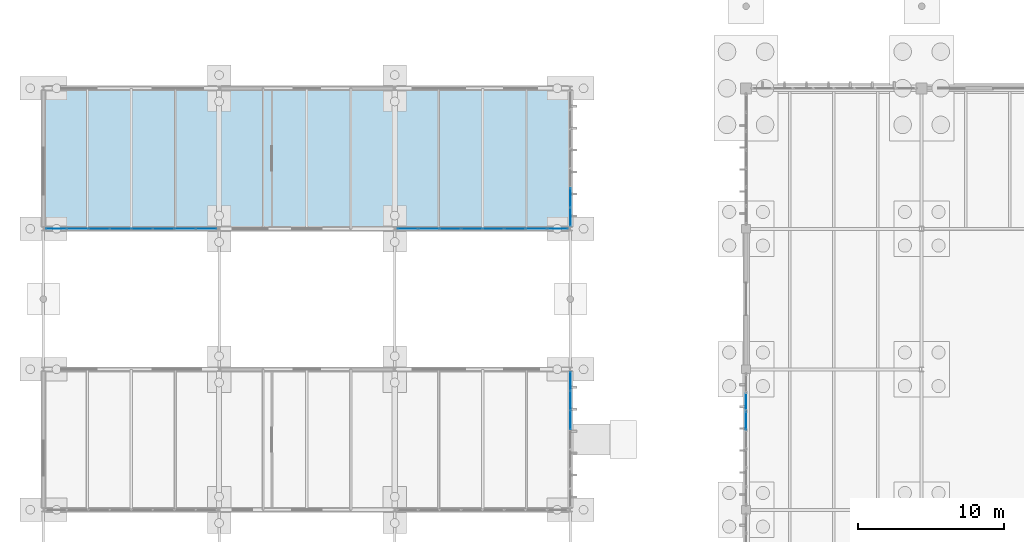
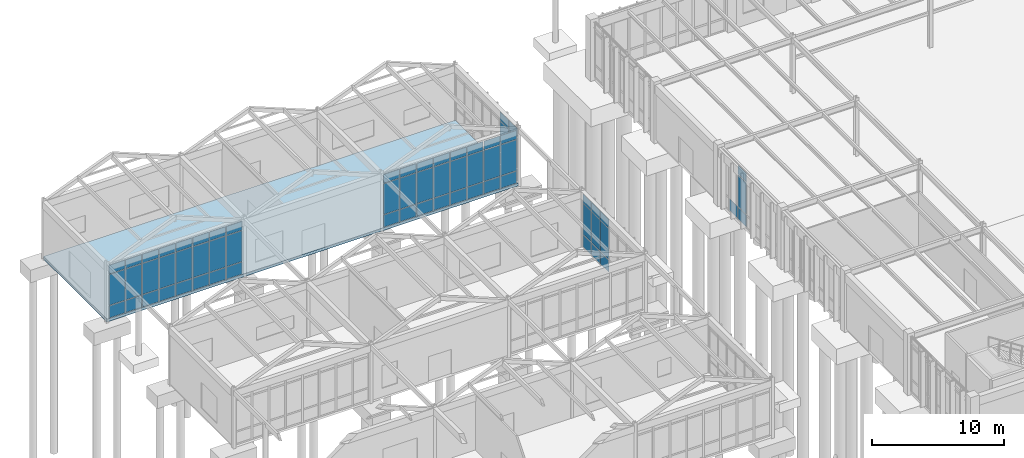
# One storey, part 135 of 188: 67 plates, 1 slab, 5 elements without a shape of their own.
"""IFC4 building model written with IfcOpenShell, lengths in metres."""

from ifc_helpers import new_model, si_unit, direction, frame, origin, origin_2d, place, context, subcontext, project, spatial, polyline, rectangle, outline, extrude, material, layer, layer_set, type_object, element, aggregate, save


model = new_model("IFC4")

# Units and contexts
model_context = context("Model", 3, precision=1e-05, world=origin(), true_north=direction((0.0, 1.0)))
body_context = subcontext(model_context, "Body", "Model", "MODEL_VIEW")
ifc_project = project(units=[si_unit("LENGTHUNIT", "METRE"), si_unit("AREAUNIT", "SQUARE_METRE"), si_unit("VOLUMEUNIT", "CUBIC_METRE"), si_unit("PLANEANGLEUNIT", "RADIAN"), si_unit("MASSUNIT", "GRAM", prefix="KILO")], contexts=[model_context])

# Site, building, storey
site_placement = place(None, origin())
site = spatial("IfcSite", under=ifc_project, at=site_placement, CompositionType="ELEMENT")
building_placement = place(site_placement, origin())
building = spatial("IfcBuilding", under=site, at=building_placement, Name="Pandanus Reach Market Hall", CompositionType="ELEMENT")
storey_placement = place(building_placement, origin())
storey = spatial("IfcBuildingStorey", under=building, at=storey_placement, Name="L00", CompositionType="ELEMENT", Elevation=0.0)

# Curtain wall, plates
ifc_material_1 = material(Name="Bronze anodised aluminium and low-E glass", Category="aluminium")
ifc_layer_1 = layer(ifc_material_1, 0.159912109375, Name="CW-08")
ifc_layer_set_1 = layer_set([ifc_layer_1], Name="Bronze anodised aluminium and low-E glass")
curtain_wall_type_1 = type_object("IfcCurtainWallType", Name="CW-08", PredefinedType="NOTDEFINED", material=ifc_layer_set_1)
curtain_wall_1_placement = place(storey_placement, origin())
curtain_wall_1 = element("IfcCurtainWall", 1, at=curtain_wall_1_placement, inside=storey, type_object=curtain_wall_type_1, Name="Glazed curtain wall CW-08 CW-0043", PredefinedType="NOTDEFINED")
ifc_material_2 = material(Name="Solar-control double glazing", Category="glass")
ifc_layer_2 = layer(ifc_material_2, 0.028076171875, Name="CW-P1")
ifc_layer_set_2 = layer_set([ifc_layer_2], Name="Solar-control double glazing")
plate_type_1 = type_object("IfcPlateType", Name="CW-P1", PredefinedType="CURTAIN_PANEL", material=ifc_layer_set_2)
plate_1_placement = place(storey_placement, frame((36.0, 63.735107421875, 0.06494140625), z_axis=(0.0, 0.0, 1.0), x_axis=(0.0, 1.0, 0.0)))
plate_1 = element("IfcPlate", 2, at=plate_1_placement, type_object=plate_type_1, Name="CW-08 panel 5.1", PredefinedType="CURTAIN_PANEL", context=body_context, shape_type="SweptSolid", body=[
    extrude(rectangle(XDim=1.270263671875, YDim=0.028076171875, at=origin_2d()), origin(), (0.0, 0.0, 1.0), 1.1025390625),
])
plate_2_placement = place(storey_placement, frame((36.0, 63.735107421875, 1.232421875), z_axis=(0.0, 0.0, 1.0), x_axis=(0.0, 1.0, 0.0)))
plate_2 = element("IfcPlate", 3, at=plate_2_placement, type_object=plate_type_1, Name="CW-08 panel 5.2", PredefinedType="CURTAIN_PANEL", context=body_context, shape_type="SweptSolid", body=[
    extrude(rectangle(XDim=1.270263671875, YDim=0.028076171875, at=origin_2d()), origin(), (0.0, 0.0, 1.0), 2.8349609375),
])
plate_3_placement = place(storey_placement, frame((36.0, 63.735107421875, 4.13232421875), z_axis=(0.0, 0.0, 1.0), x_axis=(0.0, 1.0, 0.0)))
plate_3 = element("IfcPlate", 4, at=plate_3_placement, type_object=plate_type_1, Name="CW-08 panel 5.3", PredefinedType="CURTAIN_PANEL", context=body_context, shape_type="SweptSolid", body=[
    extrude(rectangle(XDim=1.270263671875, YDim=0.028076171875, at=origin_2d()), origin(), (0.0, 0.0, 1.0), 0.802490234375),
])
plate_4_placement = place(storey_placement, frame((36.0, 65.0703125, 0.06494140625), z_axis=(0.0, 0.0, 1.0), x_axis=(0.0, 1.0, 0.0)))
plate_4 = element("IfcPlate", 5, at=plate_4_placement, type_object=plate_type_1, Name="CW-08 panel 6.1", PredefinedType="CURTAIN_PANEL", context=body_context, shape_type="SweptSolid", body=[
    extrude(rectangle(XDim=1.270263671875, YDim=0.028076171875, at=origin_2d()), origin(), (0.0, 0.0, 1.0), 1.1025390625),
])
plate_5_placement = place(storey_placement, frame((36.0, 65.0703125, 1.232421875), z_axis=(0.0, 0.0, 1.0), x_axis=(0.0, 1.0, 0.0)))
plate_5 = element("IfcPlate", 6, at=plate_5_placement, type_object=plate_type_1, Name="CW-08 panel 6.2", PredefinedType="CURTAIN_PANEL", context=body_context, shape_type="SweptSolid", body=[
    extrude(rectangle(XDim=1.270263671875, YDim=0.028076171875, at=origin_2d()), origin(), (0.0, 0.0, 1.0), 2.8349609375),
])
plate_6_placement = place(storey_placement, frame((36.0, 65.0703125, 4.13232421875), z_axis=(0.0, 0.0, 1.0), x_axis=(0.0, 1.0, 0.0)))
plate_6 = element("IfcPlate", 7, at=plate_6_placement, type_object=plate_type_1, Name="CW-08 panel 6.3", PredefinedType="CURTAIN_PANEL", context=body_context, shape_type="SweptSolid", body=[
    extrude(rectangle(XDim=1.270263671875, YDim=0.028076171875, at=origin_2d()), origin(), (0.0, 0.0, 1.0), 0.802490234375),
])
plate_7_placement = place(storey_placement, frame((36.0, 66.38916015625, 0.06494140625), z_axis=(0.0, 0.0, 1.0), x_axis=(0.0, 1.0, 0.0)))
plate_7 = element("IfcPlate", 8, at=plate_7_placement, type_object=plate_type_1, Name="CW-08 panel 7.1", PredefinedType="CURTAIN_PANEL", context=body_context, shape_type="SweptSolid", body=[
    extrude(rectangle(XDim=1.237548828125, YDim=0.028076171875, at=origin_2d()), origin(), (0.0, 0.0, 1.0), 1.1025390625),
])
plate_8_placement = place(storey_placement, frame((36.0, 66.38916015625, 1.232421875), z_axis=(0.0, 0.0, 1.0), x_axis=(0.0, 1.0, 0.0)))
plate_8 = element("IfcPlate", 9, at=plate_8_placement, type_object=plate_type_1, Name="CW-08 panel 7.2", PredefinedType="CURTAIN_PANEL", context=body_context, shape_type="SweptSolid", body=[
    extrude(rectangle(XDim=1.237548828125, YDim=0.028076171875, at=origin_2d()), origin(), (0.0, 0.0, 1.0), 2.8349609375),
])
plate_9_placement = place(storey_placement, frame((36.0, 66.38916015625, 4.13232421875), z_axis=(0.0, 0.0, 1.0), x_axis=(0.0, 1.0, 0.0)))
plate_9 = element("IfcPlate", 10, at=plate_9_placement, type_object=plate_type_1, Name="CW-08 panel 7.3", PredefinedType="CURTAIN_PANEL", context=body_context, shape_type="SweptSolid", body=[
    extrude(rectangle(XDim=1.237548828125, YDim=0.028076171875, at=origin_2d()), origin(), (0.0, 0.0, 1.0), 0.802490234375),
])
aggregate(curtain_wall_1, [plate_1, plate_2, plate_3, plate_4, plate_5, plate_6, plate_7, plate_8, plate_9])

ifc_layer_3 = layer(ifc_material_1, 0.159912109375, Name="CW-07")
ifc_layer_set_3 = layer_set([ifc_layer_3], Name="Bronze anodised aluminium and low-E glass")
curtain_wall_type_2 = type_object("IfcCurtainWallType", Name="CW-07", PredefinedType="NOTDEFINED", material=ifc_layer_set_3)
curtain_wall_2_placement = place(storey_placement, origin())
curtain_wall_2 = element("IfcCurtainWall", 11, at=curtain_wall_2_placement, inside=storey, type_object=curtain_wall_type_2, Name="Glazed curtain wall CW-07 CW-0044", PredefinedType="NOTDEFINED")
plate_10_placement = place(storey_placement, frame((0.87744140625, 76.800048828125, 0.06494140625), z_axis=(0.0, 0.0, 1.0), x_axis=(1.0, 0.0, 0.0)))
plate_10 = element("IfcPlate", 12, at=plate_10_placement, type_object=plate_type_1, Name="CW-07 panel 1.1", PredefinedType="CURTAIN_PANEL", context=body_context, shape_type="SweptSolid", body=[
    extrude(rectangle(XDim=1.370849609375, YDim=0.028076171875, at=origin_2d()), origin(), (0.0, 0.0, 1.0), 1.1025390625),
])
plate_11_placement = place(storey_placement, frame((0.87744140625, 76.800048828125, 1.232421875), z_axis=(0.0, 0.0, 1.0), x_axis=(1.0, 0.0, 0.0)))
plate_11 = element("IfcPlate", 13, at=plate_11_placement, type_object=plate_type_1, Name="CW-07 panel 1.2", PredefinedType="CURTAIN_PANEL", context=body_context, shape_type="SweptSolid", body=[
    extrude(rectangle(XDim=1.370849609375, YDim=0.028076171875, at=origin_2d()), origin(), (0.0, 0.0, 1.0), 2.8349609375),
])
plate_12_placement = place(storey_placement, frame((0.87744140625, 76.800048828125, 4.13232421875), z_axis=(0.0, 0.0, 1.0), x_axis=(1.0, 0.0, 0.0)))
plate_12 = element("IfcPlate", 14, at=plate_12_placement, type_object=plate_type_1, Name="CW-07 panel 1.3", PredefinedType="CURTAIN_PANEL", context=body_context, shape_type="SweptSolid", body=[
    extrude(rectangle(XDim=1.370849609375, YDim=0.028076171875, at=origin_2d()), origin(), (0.0, 0.0, 1.0), 0.802490234375),
])
plate_13_placement = place(storey_placement, frame((2.329345703125, 76.800048828125, 0.06494140625), z_axis=(0.0, 0.0, 1.0), x_axis=(1.0, 0.0, 0.0)))
plate_13 = element("IfcPlate", 15, at=plate_13_placement, type_object=plate_type_1, Name="CW-07 panel 2.1", PredefinedType="CURTAIN_PANEL", context=body_context, shape_type="SweptSolid", body=[
    extrude(rectangle(XDim=1.4033203125, YDim=0.028076171875, at=origin_2d()), origin(), (0.0, 0.0, 1.0), 1.1025390625),
])
plate_14_placement = place(storey_placement, frame((2.329345703125, 76.800048828125, 1.232421875), z_axis=(0.0, 0.0, 1.0), x_axis=(1.0, 0.0, 0.0)))
plate_14 = element("IfcPlate", 16, at=plate_14_placement, type_object=plate_type_1, Name="CW-07 panel 2.2", PredefinedType="CURTAIN_PANEL", context=body_context, shape_type="SweptSolid", body=[
    extrude(rectangle(XDim=1.4033203125, YDim=0.028076171875, at=origin_2d()), origin(), (0.0, 0.0, 1.0), 2.8349609375),
])
plate_15_placement = place(storey_placement, frame((2.329345703125, 76.800048828125, 4.13232421875), z_axis=(0.0, 0.0, 1.0), x_axis=(1.0, 0.0, 0.0)))
plate_15 = element("IfcPlate", 17, at=plate_15_placement, type_object=plate_type_1, Name="CW-07 panel 2.3", PredefinedType="CURTAIN_PANEL", context=body_context, shape_type="SweptSolid", body=[
    extrude(rectangle(XDim=1.4033203125, YDim=0.028076171875, at=origin_2d()), origin(), (0.0, 0.0, 1.0), 0.802490234375),
])
plate_16_placement = place(storey_placement, frame((3.797607421875, 76.800048828125, 0.06494140625), z_axis=(0.0, 0.0, 1.0), x_axis=(1.0, 0.0, 0.0)))
plate_16 = element("IfcPlate", 18, at=plate_16_placement, type_object=plate_type_1, Name="CW-07 panel 3.1", PredefinedType="CURTAIN_PANEL", context=body_context, shape_type="SweptSolid", body=[
    extrude(rectangle(XDim=1.4033203125, YDim=0.028076171875, at=origin_2d()), origin(), (0.0, 0.0, 1.0), 1.1025390625),
])
plate_17_placement = place(storey_placement, frame((3.797607421875, 76.800048828125, 1.232421875), z_axis=(0.0, 0.0, 1.0), x_axis=(1.0, 0.0, 0.0)))
plate_17 = element("IfcPlate", 19, at=plate_17_placement, type_object=plate_type_1, Name="CW-07 panel 3.2", PredefinedType="CURTAIN_PANEL", context=body_context, shape_type="SweptSolid", body=[
    extrude(rectangle(XDim=1.4033203125, YDim=0.028076171875, at=origin_2d()), origin(), (0.0, 0.0, 1.0), 2.8349609375),
])
plate_18_placement = place(storey_placement, frame((3.797607421875, 76.800048828125, 4.13232421875), z_axis=(0.0, 0.0, 1.0), x_axis=(1.0, 0.0, 0.0)))
plate_18 = element("IfcPlate", 20, at=plate_18_placement, type_object=plate_type_1, Name="CW-07 panel 3.3", PredefinedType="CURTAIN_PANEL", context=body_context, shape_type="SweptSolid", body=[
    extrude(rectangle(XDim=1.4033203125, YDim=0.028076171875, at=origin_2d()), origin(), (0.0, 0.0, 1.0), 0.802490234375),
])
plate_19_placement = place(storey_placement, frame((5.265869140625, 76.800048828125, 0.06494140625), z_axis=(0.0, 0.0, 1.0), x_axis=(1.0, 0.0, 0.0)))
plate_19 = element("IfcPlate", 21, at=plate_19_placement, type_object=plate_type_1, Name="CW-07 panel 4.1", PredefinedType="CURTAIN_PANEL", context=body_context, shape_type="SweptSolid", body=[
    extrude(rectangle(XDim=1.4033203125, YDim=0.028076171875, at=origin_2d()), origin(), (0.0, 0.0, 1.0), 1.1025390625),
])
plate_20_placement = place(storey_placement, frame((5.265869140625, 76.800048828125, 1.232421875), z_axis=(0.0, 0.0, 1.0), x_axis=(1.0, 0.0, 0.0)))
plate_20 = element("IfcPlate", 22, at=plate_20_placement, type_object=plate_type_1, Name="CW-07 panel 4.2", PredefinedType="CURTAIN_PANEL", context=body_context, shape_type="SweptSolid", body=[
    extrude(rectangle(XDim=1.4033203125, YDim=0.028076171875, at=origin_2d()), origin(), (0.0, 0.0, 1.0), 2.8349609375),
])
plate_21_placement = place(storey_placement, frame((5.265869140625, 76.800048828125, 4.13232421875), z_axis=(0.0, 0.0, 1.0), x_axis=(1.0, 0.0, 0.0)))
plate_21 = element("IfcPlate", 23, at=plate_21_placement, type_object=plate_type_1, Name="CW-07 panel 4.3", PredefinedType="CURTAIN_PANEL", context=body_context, shape_type="SweptSolid", body=[
    extrude(rectangle(XDim=1.4033203125, YDim=0.028076171875, at=origin_2d()), origin(), (0.0, 0.0, 1.0), 0.802490234375),
])
plate_22_placement = place(storey_placement, frame((6.734130859375, 76.800048828125, 0.06494140625), z_axis=(0.0, 0.0, 1.0), x_axis=(1.0, 0.0, 0.0)))
plate_22 = element("IfcPlate", 24, at=plate_22_placement, type_object=plate_type_1, Name="CW-07 panel 5.1", PredefinedType="CURTAIN_PANEL", context=body_context, shape_type="SweptSolid", body=[
    extrude(rectangle(XDim=1.4033203125, YDim=0.028076171875, at=origin_2d()), origin(), (0.0, 0.0, 1.0), 1.1025390625),
])
plate_23_placement = place(storey_placement, frame((6.734130859375, 76.800048828125, 1.232421875), z_axis=(0.0, 0.0, 1.0), x_axis=(1.0, 0.0, 0.0)))
plate_23 = element("IfcPlate", 25, at=plate_23_placement, type_object=plate_type_1, Name="CW-07 panel 5.2", PredefinedType="CURTAIN_PANEL", context=body_context, shape_type="SweptSolid", body=[
    extrude(rectangle(XDim=1.4033203125, YDim=0.028076171875, at=origin_2d()), origin(), (0.0, 0.0, 1.0), 2.8349609375),
])
plate_24_placement = place(storey_placement, frame((6.734130859375, 76.800048828125, 4.13232421875), z_axis=(0.0, 0.0, 1.0), x_axis=(1.0, 0.0, 0.0)))
plate_24 = element("IfcPlate", 26, at=plate_24_placement, type_object=plate_type_1, Name="CW-07 panel 5.3", PredefinedType="CURTAIN_PANEL", context=body_context, shape_type="SweptSolid", body=[
    extrude(rectangle(XDim=1.4033203125, YDim=0.028076171875, at=origin_2d()), origin(), (0.0, 0.0, 1.0), 0.802490234375),
])
plate_25_placement = place(storey_placement, frame((8.202392578125, 76.800048828125, 0.06494140625), z_axis=(0.0, 0.0, 1.0), x_axis=(1.0, 0.0, 0.0)))
plate_25 = element("IfcPlate", 27, at=plate_25_placement, type_object=plate_type_1, Name="CW-07 panel 6.1", PredefinedType="CURTAIN_PANEL", context=body_context, shape_type="SweptSolid", body=[
    extrude(rectangle(XDim=1.4033203125, YDim=0.028076171875, at=origin_2d()), origin(), (0.0, 0.0, 1.0), 1.1025390625),
])
plate_26_placement = place(storey_placement, frame((8.202392578125, 76.800048828125, 1.232421875), z_axis=(0.0, 0.0, 1.0), x_axis=(1.0, 0.0, 0.0)))
plate_26 = element("IfcPlate", 28, at=plate_26_placement, type_object=plate_type_1, Name="CW-07 panel 6.2", PredefinedType="CURTAIN_PANEL", context=body_context, shape_type="SweptSolid", body=[
    extrude(rectangle(XDim=1.4033203125, YDim=0.028076171875, at=origin_2d()), origin(), (0.0, 0.0, 1.0), 2.8349609375),
])
plate_27_placement = place(storey_placement, frame((8.202392578125, 76.800048828125, 4.13232421875), z_axis=(0.0, 0.0, 1.0), x_axis=(1.0, 0.0, 0.0)))
plate_27 = element("IfcPlate", 29, at=plate_27_placement, type_object=plate_type_1, Name="CW-07 panel 6.3", PredefinedType="CURTAIN_PANEL", context=body_context, shape_type="SweptSolid", body=[
    extrude(rectangle(XDim=1.4033203125, YDim=0.028076171875, at=origin_2d()), origin(), (0.0, 0.0, 1.0), 0.802490234375),
])
plate_28_placement = place(storey_placement, frame((9.670654296875, 76.800048828125, 0.06494140625), z_axis=(0.0, 0.0, 1.0), x_axis=(1.0, 0.0, 0.0)))
plate_28 = element("IfcPlate", 30, at=plate_28_placement, type_object=plate_type_1, Name="CW-07 panel 7.1", PredefinedType="CURTAIN_PANEL", context=body_context, shape_type="SweptSolid", body=[
    extrude(rectangle(XDim=1.4033203125, YDim=0.028076171875, at=origin_2d()), origin(), (0.0, 0.0, 1.0), 1.1025390625),
])
plate_29_placement = place(storey_placement, frame((9.670654296875, 76.800048828125, 1.232421875), z_axis=(0.0, 0.0, 1.0), x_axis=(1.0, 0.0, 0.0)))
plate_29 = element("IfcPlate", 31, at=plate_29_placement, type_object=plate_type_1, Name="CW-07 panel 7.2", PredefinedType="CURTAIN_PANEL", context=body_context, shape_type="SweptSolid", body=[
    extrude(rectangle(XDim=1.4033203125, YDim=0.028076171875, at=origin_2d()), origin(), (0.0, 0.0, 1.0), 2.8349609375),
])
plate_30_placement = place(storey_placement, frame((9.670654296875, 76.800048828125, 4.13232421875), z_axis=(0.0, 0.0, 1.0), x_axis=(1.0, 0.0, 0.0)))
plate_30 = element("IfcPlate", 32, at=plate_30_placement, type_object=plate_type_1, Name="CW-07 panel 7.3", PredefinedType="CURTAIN_PANEL", context=body_context, shape_type="SweptSolid", body=[
    extrude(rectangle(XDim=1.4033203125, YDim=0.028076171875, at=origin_2d()), origin(), (0.0, 0.0, 1.0), 0.802490234375),
])
plate_31_placement = place(storey_placement, frame((11.12255859375, 76.800048828125, 0.06494140625), z_axis=(0.0, 0.0, 1.0), x_axis=(1.0, 0.0, 0.0)))
plate_31 = element("IfcPlate", 33, at=plate_31_placement, type_object=plate_type_1, Name="CW-07 panel 8.1", PredefinedType="CURTAIN_PANEL", context=body_context, shape_type="SweptSolid", body=[
    extrude(rectangle(XDim=1.370849609375, YDim=0.028076171875, at=origin_2d()), origin(), (0.0, 0.0, 1.0), 1.1025390625),
])
plate_32_placement = place(storey_placement, frame((11.12255859375, 76.800048828125, 1.232421875), z_axis=(0.0, 0.0, 1.0), x_axis=(1.0, 0.0, 0.0)))
plate_32 = element("IfcPlate", 34, at=plate_32_placement, type_object=plate_type_1, Name="CW-07 panel 8.2", PredefinedType="CURTAIN_PANEL", context=body_context, shape_type="SweptSolid", body=[
    extrude(rectangle(XDim=1.370849609375, YDim=0.028076171875, at=origin_2d()), origin(), (0.0, 0.0, 1.0), 2.8349609375),
])
plate_33_placement = place(storey_placement, frame((11.12255859375, 76.800048828125, 4.13232421875), z_axis=(0.0, 0.0, 1.0), x_axis=(1.0, 0.0, 0.0)))
plate_33 = element("IfcPlate", 35, at=plate_33_placement, type_object=plate_type_1, Name="CW-07 panel 8.3", PredefinedType="CURTAIN_PANEL", context=body_context, shape_type="SweptSolid", body=[
    extrude(rectangle(XDim=1.370849609375, YDim=0.028076171875, at=origin_2d()), origin(), (0.0, 0.0, 1.0), 0.802490234375),
])
aggregate(curtain_wall_2, [plate_10, plate_11, plate_12, plate_13, plate_14, plate_15, plate_16, plate_17, plate_18, plate_19, plate_20, plate_21, plate_22, plate_23, plate_24, plate_25, plate_26, plate_27, plate_28, plate_29, plate_30, plate_31, plate_32, plate_33])

curtain_wall_3_placement = place(storey_placement, origin())
curtain_wall_3 = element("IfcCurtainWall", 36, at=curtain_wall_3_placement, inside=storey, type_object=curtain_wall_type_2, Name="Glazed curtain wall CW-07 CW-0045", PredefinedType="NOTDEFINED")
plate_34_placement = place(storey_placement, frame((24.87744140625, 76.800048828125, 0.06494140625), z_axis=(0.0, 0.0, 1.0), x_axis=(1.0, 0.0, 0.0)))
plate_34 = element("IfcPlate", 37, at=plate_34_placement, type_object=plate_type_1, Name="CW-07 panel 1.1", PredefinedType="CURTAIN_PANEL", context=body_context, shape_type="SweptSolid", body=[
    extrude(rectangle(XDim=1.370849609375, YDim=0.028076171875, at=origin_2d()), origin(), (0.0, 0.0, 1.0), 1.1025390625),
])
plate_35_placement = place(storey_placement, frame((24.87744140625, 76.800048828125, 1.232421875), z_axis=(0.0, 0.0, 1.0), x_axis=(1.0, 0.0, 0.0)))
plate_35 = element("IfcPlate", 38, at=plate_35_placement, type_object=plate_type_1, Name="CW-07 panel 1.2", PredefinedType="CURTAIN_PANEL", context=body_context, shape_type="SweptSolid", body=[
    extrude(rectangle(XDim=1.370849609375, YDim=0.028076171875, at=origin_2d()), origin(), (0.0, 0.0, 1.0), 2.8349609375),
])
plate_36_placement = place(storey_placement, frame((24.87744140625, 76.800048828125, 4.13232421875), z_axis=(0.0, 0.0, 1.0), x_axis=(1.0, 0.0, 0.0)))
plate_36 = element("IfcPlate", 39, at=plate_36_placement, type_object=plate_type_1, Name="CW-07 panel 1.3", PredefinedType="CURTAIN_PANEL", context=body_context, shape_type="SweptSolid", body=[
    extrude(rectangle(XDim=1.370849609375, YDim=0.028076171875, at=origin_2d()), origin(), (0.0, 0.0, 1.0), 0.802490234375),
])
plate_37_placement = place(storey_placement, frame((26.329345703125, 76.800048828125, 0.06494140625), z_axis=(0.0, 0.0, 1.0), x_axis=(1.0, 0.0, 0.0)))
plate_37 = element("IfcPlate", 40, at=plate_37_placement, type_object=plate_type_1, Name="CW-07 panel 2.1", PredefinedType="CURTAIN_PANEL", context=body_context, shape_type="SweptSolid", body=[
    extrude(rectangle(XDim=1.4033203125, YDim=0.028076171875, at=origin_2d()), origin(), (0.0, 0.0, 1.0), 1.1025390625),
])
plate_38_placement = place(storey_placement, frame((26.329345703125, 76.800048828125, 1.232421875), z_axis=(0.0, 0.0, 1.0), x_axis=(1.0, 0.0, 0.0)))
plate_38 = element("IfcPlate", 41, at=plate_38_placement, type_object=plate_type_1, Name="CW-07 panel 2.2", PredefinedType="CURTAIN_PANEL", context=body_context, shape_type="SweptSolid", body=[
    extrude(rectangle(XDim=1.4033203125, YDim=0.028076171875, at=origin_2d()), origin(), (0.0, 0.0, 1.0), 2.8349609375),
])
plate_39_placement = place(storey_placement, frame((26.329345703125, 76.800048828125, 4.13232421875), z_axis=(0.0, 0.0, 1.0), x_axis=(1.0, 0.0, 0.0)))
plate_39 = element("IfcPlate", 42, at=plate_39_placement, type_object=plate_type_1, Name="CW-07 panel 2.3", PredefinedType="CURTAIN_PANEL", context=body_context, shape_type="SweptSolid", body=[
    extrude(rectangle(XDim=1.4033203125, YDim=0.028076171875, at=origin_2d()), origin(), (0.0, 0.0, 1.0), 0.802490234375),
])
plate_40_placement = place(storey_placement, frame((27.797607421875, 76.800048828125, 0.06494140625), z_axis=(0.0, 0.0, 1.0), x_axis=(1.0, 0.0, 0.0)))
plate_40 = element("IfcPlate", 43, at=plate_40_placement, type_object=plate_type_1, Name="CW-07 panel 3.1", PredefinedType="CURTAIN_PANEL", context=body_context, shape_type="SweptSolid", body=[
    extrude(rectangle(XDim=1.4033203125, YDim=0.028076171875, at=origin_2d()), origin(), (0.0, 0.0, 1.0), 1.1025390625),
])
plate_41_placement = place(storey_placement, frame((27.797607421875, 76.800048828125, 1.232421875), z_axis=(0.0, 0.0, 1.0), x_axis=(1.0, 0.0, 0.0)))
plate_41 = element("IfcPlate", 44, at=plate_41_placement, type_object=plate_type_1, Name="CW-07 panel 3.2", PredefinedType="CURTAIN_PANEL", context=body_context, shape_type="SweptSolid", body=[
    extrude(rectangle(XDim=1.4033203125, YDim=0.028076171875, at=origin_2d()), origin(), (0.0, 0.0, 1.0), 2.8349609375),
])
plate_42_placement = place(storey_placement, frame((27.797607421875, 76.800048828125, 4.13232421875), z_axis=(0.0, 0.0, 1.0), x_axis=(1.0, 0.0, 0.0)))
plate_42 = element("IfcPlate", 45, at=plate_42_placement, type_object=plate_type_1, Name="CW-07 panel 3.3", PredefinedType="CURTAIN_PANEL", context=body_context, shape_type="SweptSolid", body=[
    extrude(rectangle(XDim=1.4033203125, YDim=0.028076171875, at=origin_2d()), origin(), (0.0, 0.0, 1.0), 0.802490234375),
])
plate_43_placement = place(storey_placement, frame((29.265869140625, 76.800048828125, 0.06494140625), z_axis=(0.0, 0.0, 1.0), x_axis=(1.0, 0.0, 0.0)))
plate_43 = element("IfcPlate", 46, at=plate_43_placement, type_object=plate_type_1, Name="CW-07 panel 4.1", PredefinedType="CURTAIN_PANEL", context=body_context, shape_type="SweptSolid", body=[
    extrude(rectangle(XDim=1.4033203125, YDim=0.028076171875, at=origin_2d()), origin(), (0.0, 0.0, 1.0), 1.1025390625),
])
plate_44_placement = place(storey_placement, frame((29.265869140625, 76.800048828125, 1.232421875), z_axis=(0.0, 0.0, 1.0), x_axis=(1.0, 0.0, 0.0)))
plate_44 = element("IfcPlate", 47, at=plate_44_placement, type_object=plate_type_1, Name="CW-07 panel 4.2", PredefinedType="CURTAIN_PANEL", context=body_context, shape_type="SweptSolid", body=[
    extrude(rectangle(XDim=1.4033203125, YDim=0.028076171875, at=origin_2d()), origin(), (0.0, 0.0, 1.0), 2.8349609375),
])
plate_45_placement = place(storey_placement, frame((29.265869140625, 76.800048828125, 4.13232421875), z_axis=(0.0, 0.0, 1.0), x_axis=(1.0, 0.0, 0.0)))
plate_45 = element("IfcPlate", 48, at=plate_45_placement, type_object=plate_type_1, Name="CW-07 panel 4.3", PredefinedType="CURTAIN_PANEL", context=body_context, shape_type="SweptSolid", body=[
    extrude(rectangle(XDim=1.4033203125, YDim=0.028076171875, at=origin_2d()), origin(), (0.0, 0.0, 1.0), 0.802490234375),
])
plate_46_placement = place(storey_placement, frame((30.734130859375, 76.800048828125, 0.06494140625), z_axis=(0.0, 0.0, 1.0), x_axis=(1.0, 0.0, 0.0)))
plate_46 = element("IfcPlate", 49, at=plate_46_placement, type_object=plate_type_1, Name="CW-07 panel 5.1", PredefinedType="CURTAIN_PANEL", context=body_context, shape_type="SweptSolid", body=[
    extrude(rectangle(XDim=1.4033203125, YDim=0.028076171875, at=origin_2d()), origin(), (0.0, 0.0, 1.0), 1.1025390625),
])
plate_47_placement = place(storey_placement, frame((30.734130859375, 76.800048828125, 1.232421875), z_axis=(0.0, 0.0, 1.0), x_axis=(1.0, 0.0, 0.0)))
plate_47 = element("IfcPlate", 50, at=plate_47_placement, type_object=plate_type_1, Name="CW-07 panel 5.2", PredefinedType="CURTAIN_PANEL", context=body_context, shape_type="SweptSolid", body=[
    extrude(rectangle(XDim=1.4033203125, YDim=0.028076171875, at=origin_2d()), origin(), (0.0, 0.0, 1.0), 2.8349609375),
])
plate_48_placement = place(storey_placement, frame((30.734130859375, 76.800048828125, 4.13232421875), z_axis=(0.0, 0.0, 1.0), x_axis=(1.0, 0.0, 0.0)))
plate_48 = element("IfcPlate", 51, at=plate_48_placement, type_object=plate_type_1, Name="CW-07 panel 5.3", PredefinedType="CURTAIN_PANEL", context=body_context, shape_type="SweptSolid", body=[
    extrude(rectangle(XDim=1.4033203125, YDim=0.028076171875, at=origin_2d()), origin(), (0.0, 0.0, 1.0), 0.802490234375),
])
plate_49_placement = place(storey_placement, frame((32.202392578125, 76.800048828125, 0.06494140625), z_axis=(0.0, 0.0, 1.0), x_axis=(1.0, 0.0, 0.0)))
plate_49 = element("IfcPlate", 52, at=plate_49_placement, type_object=plate_type_1, Name="CW-07 panel 6.1", PredefinedType="CURTAIN_PANEL", context=body_context, shape_type="SweptSolid", body=[
    extrude(rectangle(XDim=1.4033203125, YDim=0.028076171875, at=origin_2d()), origin(), (0.0, 0.0, 1.0), 1.1025390625),
])
plate_50_placement = place(storey_placement, frame((32.202392578125, 76.800048828125, 1.232421875), z_axis=(0.0, 0.0, 1.0), x_axis=(1.0, 0.0, 0.0)))
plate_50 = element("IfcPlate", 53, at=plate_50_placement, type_object=plate_type_1, Name="CW-07 panel 6.2", PredefinedType="CURTAIN_PANEL", context=body_context, shape_type="SweptSolid", body=[
    extrude(rectangle(XDim=1.4033203125, YDim=0.028076171875, at=origin_2d()), origin(), (0.0, 0.0, 1.0), 2.8349609375),
])
plate_51_placement = place(storey_placement, frame((32.202392578125, 76.800048828125, 4.13232421875), z_axis=(0.0, 0.0, 1.0), x_axis=(1.0, 0.0, 0.0)))
plate_51 = element("IfcPlate", 54, at=plate_51_placement, type_object=plate_type_1, Name="CW-07 panel 6.3", PredefinedType="CURTAIN_PANEL", context=body_context, shape_type="SweptSolid", body=[
    extrude(rectangle(XDim=1.4033203125, YDim=0.028076171875, at=origin_2d()), origin(), (0.0, 0.0, 1.0), 0.802490234375),
])
plate_52_placement = place(storey_placement, frame((33.670654296875, 76.800048828125, 0.06494140625), z_axis=(0.0, 0.0, 1.0), x_axis=(1.0, 0.0, 0.0)))
plate_52 = element("IfcPlate", 55, at=plate_52_placement, type_object=plate_type_1, Name="CW-07 panel 7.1", PredefinedType="CURTAIN_PANEL", context=body_context, shape_type="SweptSolid", body=[
    extrude(rectangle(XDim=1.4033203125, YDim=0.028076171875, at=origin_2d()), origin(), (0.0, 0.0, 1.0), 1.1025390625),
])
plate_53_placement = place(storey_placement, frame((33.670654296875, 76.800048828125, 1.232421875), z_axis=(0.0, 0.0, 1.0), x_axis=(1.0, 0.0, 0.0)))
plate_53 = element("IfcPlate", 56, at=plate_53_placement, type_object=plate_type_1, Name="CW-07 panel 7.2", PredefinedType="CURTAIN_PANEL", context=body_context, shape_type="SweptSolid", body=[
    extrude(rectangle(XDim=1.4033203125, YDim=0.028076171875, at=origin_2d()), origin(), (0.0, 0.0, 1.0), 2.8349609375),
])
plate_54_placement = place(storey_placement, frame((33.670654296875, 76.800048828125, 4.13232421875), z_axis=(0.0, 0.0, 1.0), x_axis=(1.0, 0.0, 0.0)))
plate_54 = element("IfcPlate", 57, at=plate_54_placement, type_object=plate_type_1, Name="CW-07 panel 7.3", PredefinedType="CURTAIN_PANEL", context=body_context, shape_type="SweptSolid", body=[
    extrude(rectangle(XDim=1.4033203125, YDim=0.028076171875, at=origin_2d()), origin(), (0.0, 0.0, 1.0), 0.802490234375),
])
plate_55_placement = place(storey_placement, frame((35.12255859375, 76.800048828125, 0.06494140625), z_axis=(0.0, 0.0, 1.0), x_axis=(1.0, 0.0, 0.0)))
plate_55 = element("IfcPlate", 58, at=plate_55_placement, type_object=plate_type_1, Name="CW-07 panel 8.1", PredefinedType="CURTAIN_PANEL", context=body_context, shape_type="SweptSolid", body=[
    extrude(rectangle(XDim=1.370849609375, YDim=0.028076171875, at=origin_2d()), origin(), (0.0, 0.0, 1.0), 1.1025390625),
])
plate_56_placement = place(storey_placement, frame((35.12255859375, 76.800048828125, 1.232421875), z_axis=(0.0, 0.0, 1.0), x_axis=(1.0, 0.0, 0.0)))
plate_56 = element("IfcPlate", 59, at=plate_56_placement, type_object=plate_type_1, Name="CW-07 panel 8.2", PredefinedType="CURTAIN_PANEL", context=body_context, shape_type="SweptSolid", body=[
    extrude(rectangle(XDim=1.370849609375, YDim=0.028076171875, at=origin_2d()), origin(), (0.0, 0.0, 1.0), 2.8349609375),
])
plate_57_placement = place(storey_placement, frame((35.12255859375, 76.800048828125, 4.13232421875), z_axis=(0.0, 0.0, 1.0), x_axis=(1.0, 0.0, 0.0)))
plate_57 = element("IfcPlate", 60, at=plate_57_placement, type_object=plate_type_1, Name="CW-07 panel 8.3", PredefinedType="CURTAIN_PANEL", context=body_context, shape_type="SweptSolid", body=[
    extrude(rectangle(XDim=1.370849609375, YDim=0.028076171875, at=origin_2d()), origin(), (0.0, 0.0, 1.0), 0.802490234375),
])
aggregate(curtain_wall_3, [plate_34, plate_35, plate_36, plate_37, plate_38, plate_39, plate_40, plate_41, plate_42, plate_43, plate_44, plate_45, plate_46, plate_47, plate_48, plate_49, plate_50, plate_51, plate_52, plate_53, plate_54, plate_55, plate_56, plate_57])

curtain_wall_4_placement = place(storey_placement, origin())
curtain_wall_4 = element("IfcCurtainWall", 61, at=curtain_wall_4_placement, inside=storey, type_object=curtain_wall_type_1, Name="Glazed curtain wall CW-08 CW-0046", PredefinedType="NOTDEFINED")
plate_58_placement = place(storey_placement, frame((36.0, 77.61083984375, 0.06494140625), z_axis=(0.0, 0.0, 1.0), x_axis=(0.0, 1.0, 0.0)))
plate_58 = element("IfcPlate", 62, at=plate_58_placement, type_object=plate_type_1, Name="CW-08 panel 1.1", PredefinedType="CURTAIN_PANEL", context=body_context, shape_type="SweptSolid", body=[
    extrude(rectangle(XDim=1.237548828125, YDim=0.028076171875, at=origin_2d()), origin(), (0.0, 0.0, 1.0), 1.1025390625),
])
plate_59_placement = place(storey_placement, frame((36.0, 77.61083984375, 1.232421875), z_axis=(0.0, 0.0, 1.0), x_axis=(0.0, 1.0, 0.0)))
plate_59 = element("IfcPlate", 63, at=plate_59_placement, type_object=plate_type_1, Name="CW-08 panel 1.2", PredefinedType="CURTAIN_PANEL", context=body_context, shape_type="SweptSolid", body=[
    extrude(rectangle(XDim=1.237548828125, YDim=0.028076171875, at=origin_2d()), origin(), (0.0, 0.0, 1.0), 2.8349609375),
])
plate_60_placement = place(storey_placement, frame((36.0, 77.61083984375, 4.13232421875), z_axis=(0.0, 0.0, 1.0), x_axis=(0.0, 1.0, 0.0)))
plate_60 = element("IfcPlate", 64, at=plate_60_placement, type_object=plate_type_1, Name="CW-08 panel 1.3", PredefinedType="CURTAIN_PANEL", context=body_context, shape_type="SweptSolid", body=[
    extrude(rectangle(XDim=1.237548828125, YDim=0.028076171875, at=origin_2d()), origin(), (0.0, 0.0, 1.0), 0.802490234375),
])
plate_61_placement = place(storey_placement, frame((36.0, 78.9296875, 0.06494140625), z_axis=(0.0, 0.0, 1.0), x_axis=(0.0, 1.0, 0.0)))
plate_61 = element("IfcPlate", 65, at=plate_61_placement, type_object=plate_type_1, Name="CW-08 panel 2.1", PredefinedType="CURTAIN_PANEL", context=body_context, shape_type="SweptSolid", body=[
    extrude(rectangle(XDim=1.270263671875, YDim=0.028076171875, at=origin_2d()), origin(), (0.0, 0.0, 1.0), 1.1025390625),
])
plate_62_placement = place(storey_placement, frame((36.0, 78.9296875, 1.232421875), z_axis=(0.0, 0.0, 1.0), x_axis=(0.0, 1.0, 0.0)))
plate_62 = element("IfcPlate", 66, at=plate_62_placement, type_object=plate_type_1, Name="CW-08 panel 2.2", PredefinedType="CURTAIN_PANEL", context=body_context, shape_type="SweptSolid", body=[
    extrude(rectangle(XDim=1.270263671875, YDim=0.028076171875, at=origin_2d()), origin(), (0.0, 0.0, 1.0), 2.8349609375),
])
plate_63_placement = place(storey_placement, frame((36.0, 78.9296875, 4.13232421875), z_axis=(0.0, 0.0, 1.0), x_axis=(0.0, 1.0, 0.0)))
plate_63 = element("IfcPlate", 67, at=plate_63_placement, type_object=plate_type_1, Name="CW-08 panel 2.3", PredefinedType="CURTAIN_PANEL", context=body_context, shape_type="SweptSolid", body=[
    extrude(rectangle(XDim=1.270263671875, YDim=0.028076171875, at=origin_2d()), origin(), (0.0, 0.0, 1.0), 0.802490234375),
])
aggregate(curtain_wall_4, [plate_58, plate_59, plate_60, plate_61, plate_62, plate_63])

ifc_layer_4 = layer(ifc_material_1, 0.199951171875, Name="CW-06")
ifc_layer_set_4 = layer_set([ifc_layer_4], Name="Bronze anodised aluminium and low-E glass")
curtain_wall_type_3 = type_object("IfcCurtainWallType", Name="CW-06", PredefinedType="NOTDEFINED", material=ifc_layer_set_4)
curtain_wall_5_placement = place(storey_placement, origin())
curtain_wall_5 = element("IfcCurtainWall", 68, at=curtain_wall_5_placement, inside=storey, type_object=curtain_wall_type_3, Name="Glazed curtain wall CW-06 CW-0028", PredefinedType="NOTDEFINED")
ifc_material_3 = material(Name="Acoustic laminated solar double glazing", Category="glass")
ifc_layer_5 = layer(ifc_material_3, 0.031982421875, Name="CW-P2")
ifc_layer_set_5 = layer_set([ifc_layer_5], Name="Acoustic laminated solar double glazing")
plate_type_2 = type_object("IfcPlateType", Name="CW-P2", PredefinedType="CURTAIN_PANEL", material=ifc_layer_set_5)
plate_64_placement = place(storey_placement, frame((48.0, 63.685791015625, 0.074951171875), z_axis=(0.0, 0.0, 1.0), x_axis=(0.0, 1.0, 0.0)))
plate_64 = element("IfcPlate", 69, at=plate_64_placement, type_object=plate_type_2, Name="CW-06 panel 5.1", PredefinedType="CURTAIN_PANEL", context=body_context, shape_type="SweptSolid", body=[
    extrude(rectangle(XDim=1.210693359375, YDim=0.031982421875, at=origin_2d()), origin(), (0.0, 0.0, 1.0), 1.08740234375),
])
plate_65_placement = place(storey_placement, frame((48.0, 63.685791015625, 1.2373046875), z_axis=(0.0, 0.0, 1.0), x_axis=(0.0, 1.0, 0.0)))
plate_65 = element("IfcPlate", 70, at=plate_65_placement, type_object=plate_type_2, Name="CW-06 panel 5.2", PredefinedType="CURTAIN_PANEL", context=body_context, shape_type="SweptSolid", body=[
    extrude(rectangle(XDim=1.210693359375, YDim=0.031982421875, at=origin_2d()), origin(), (0.0, 0.0, 1.0), 2.925048828125),
])
plate_66_placement = place(storey_placement, frame((48.0, 63.685791015625, 4.237548828125), z_axis=(0.0, 0.0, 1.0), x_axis=(0.0, 1.0, 0.0)))
plate_66 = element("IfcPlate", 71, at=plate_66_placement, type_object=plate_type_2, Name="CW-06 panel 5.3", PredefinedType="CURTAIN_PANEL", context=body_context, shape_type="SweptSolid", body=[
    extrude(rectangle(XDim=1.210693359375, YDim=0.031982421875, at=origin_2d()), origin(), (0.0, 0.0, 1.0), 0.78759765625),
])
plate_67_placement = place(storey_placement, frame((48.0, 64.971435546875, 0.074951171875), z_axis=(0.0, 0.0, 1.0), x_axis=(0.0, 1.0, 0.0)))
plate_67 = element("IfcPlate", 72, at=plate_67_placement, type_object=plate_type_2, Name="CW-06 panel 6.1", PredefinedType="CURTAIN_PANEL", context=body_context, shape_type="SweptSolid", body=[
    extrude(rectangle(XDim=1.210693359375, YDim=0.031982421875, at=origin_2d()), origin(), (0.0, 0.0, 1.0), 1.08740234375),
])
aggregate(curtain_wall_5, [plate_64, plate_65, plate_66, plate_67])

# Slab
ifc_material_4 = material(Name="Concrete N40 (40 MPa)", Category="concrete")
ifc_layer_6 = layer(ifc_material_4, 0.2548828125, Name="SL-L00-P")
ifc_layer_set_6 = layer_set([ifc_layer_6], Name="Concrete N40 (40 MPa)")
slab_type = type_object("IfcSlabType", Name="SL-L00-P", PredefinedType="BASESLAB", material=ifc_layer_set_6)
slab_placement = place(storey_placement, frame((0.0, 0.0, -0.2548828125)))
element("IfcSlab", 73, at=slab_placement, inside=storey, type_object=slab_type, Name="Floor slab SL-L00-V2C", PredefinedType="BASESLAB", context=body_context, shape_type="SweptSolid", body=[
    extrude(outline(polyline([(0.0, 76.800048828125), (36.0, 76.800048828125), (36.0, 86.39990234375), (0.0, 86.39990234375), (0.0, 76.800048828125)])), origin(), (0.0, 0.0, 1.0), 0.2548828125),
])

save(model, "model.ifc")
